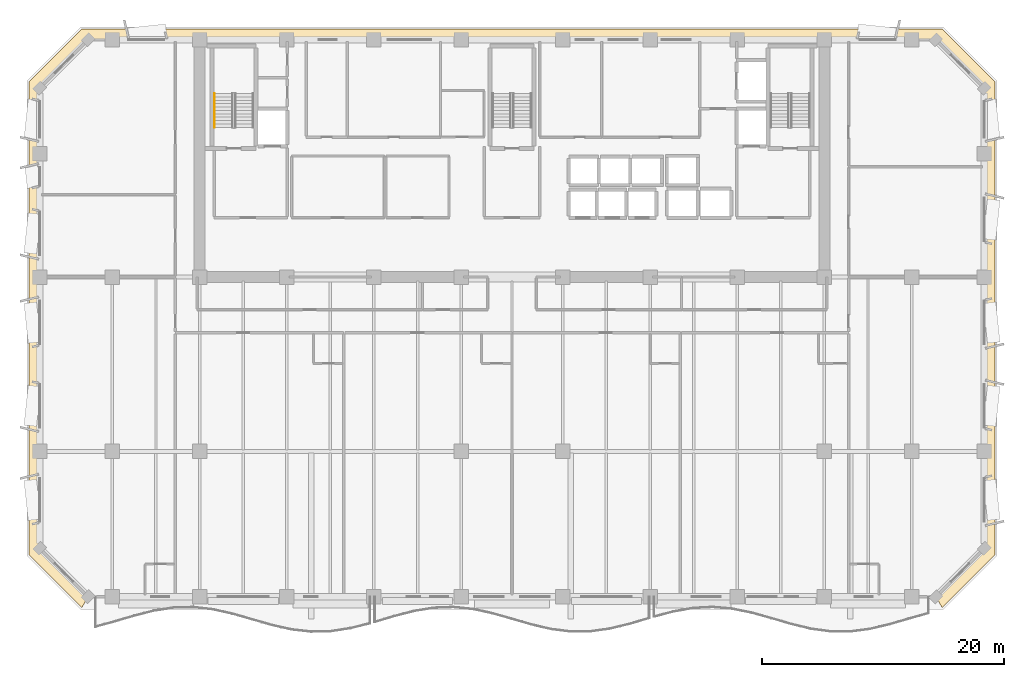
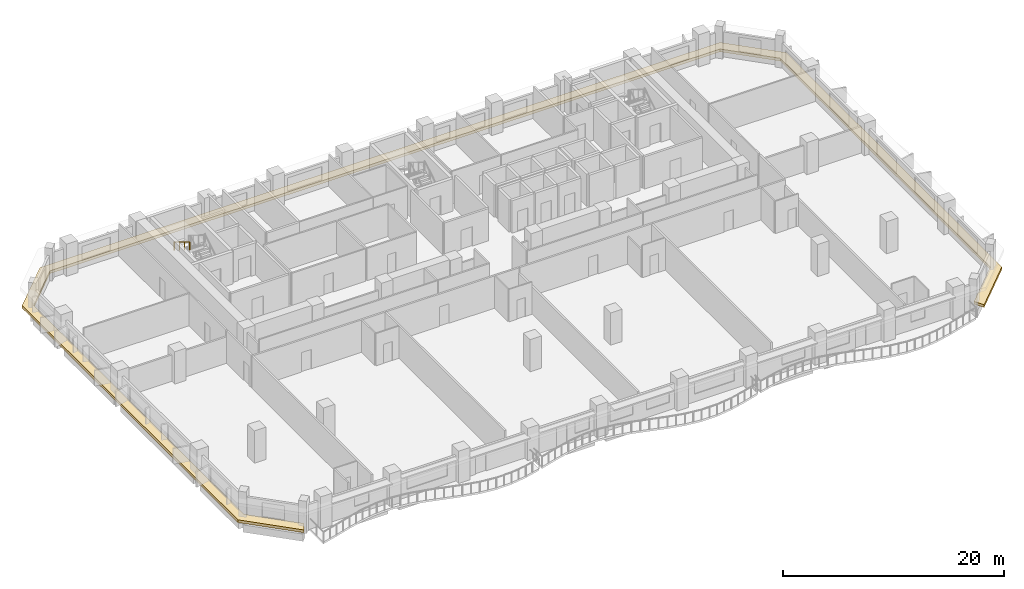
# One storey, part 11 of 14: 1 covering, 1 railing.
"""IFC4 building model written with IfcOpenShell, lengths in metres."""

from ifc_helpers import new_model, si_unit, direction, frame, origin, origin_2d, place, context, subcontext, project, spatial, polyline, rectangle, outline, extrude, material, layer, layer_set, type_object, element, save


model = new_model("IFC4")

# Units and contexts
model_context = context("Model", 3, precision=1e-05, world=origin(), true_north=direction((0.0, 1.0)))
body_context = subcontext(model_context, "Body", "Model", "MODEL_VIEW")
ifc_project = project(units=[si_unit("LENGTHUNIT", "METRE"), si_unit("AREAUNIT", "SQUARE_METRE"), si_unit("VOLUMEUNIT", "CUBIC_METRE"), si_unit("PLANEANGLEUNIT", "RADIAN"), si_unit("MASSUNIT", "GRAM", prefix="KILO")], contexts=[model_context])

# Site, building, storey
site_placement = place(None, origin())
site = spatial("IfcSite", under=ifc_project, at=site_placement, CompositionType="ELEMENT")
building_placement = place(site_placement, origin())
building = spatial("IfcBuilding", under=site, at=building_placement, Name="Kaelvorn Grand Hotel", CompositionType="ELEMENT")
storey_placement = place(building_placement, frame((0.0, 0.0, 212.949951171875)))
storey = spatial("IfcBuildingStorey", under=building, at=storey_placement, Name="L52", CompositionType="ELEMENT", Elevation=212.949951171875)

# Covering
ifc_material_1 = material(Name="Precast concrete C45/55", Category="concrete")
ifc_layer = layer(ifc_material_1, 0.219970703125)
ifc_layer_set = layer_set([ifc_layer], Name="Precast concrete C45/55")
covering_type = type_object("IfcCoveringType", Name="COV-BAND-STREAMLINE-SILL", PredefinedType="CLADDING", material=ifc_layer_set)
covering_placement = place(storey_placement, frame((0.0, 0.0, 0.449951171875)))
element("IfcCovering", 1, at=covering_placement, inside=storey, type_object=covering_type, Name="L52 Streamline Moderne Wraparound Horizontal Sill Spandrel Band", PredefinedType="CLADDING", context=body_context, shape_type="SweptSolid", body=[
    extrude(outline(polyline([(77.515380859375, 2.1201171875), (81.8798828125, 6.484619140625), (81.8798828125, 45.515380859375), (77.515380859375, 49.8798828125), (6.484619140625, 49.8798828125), (2.1201171875, 45.515380859375), (2.1201171875, 6.484619140625), (6.484619140625, 2.1201171875), (7.017578125, 3.030029296875), (3.030029296875, 7.017578125), (3.030029296875, 44.982421875), (7.017578125, 48.969970703125), (76.982421875, 48.969970703125), (80.969970703125, 44.982421875), (80.969970703125, 7.017578125), (76.982421875, 3.030029296875), (77.515380859375, 2.1201171875)])), origin(), (0.0, 0.0, 1.0), 0.300048828125),
])

# Railing
ifc_material_2 = material(Name="Stainless Steel", Category="steel")
railing_type = type_object("IfcRailingType", Name="RL-HANDRAIL-900", PredefinedType="HANDRAIL", material=ifc_material_2)
railing_placement = place(storey_placement, frame((17.449951171875, 44.56005859375, 2.07275390625)))
element("IfcRailing", 2, at=railing_placement, inside=storey, type_object=railing_type, Name="L52 ST1 stair handrail 2", PredefinedType="HANDRAIL", context=body_context, shape_type="SweptSolid", body=[
    extrude(rectangle(XDim=0.048095703125, YDim=0.048095703125, at=origin_2d()), frame((0.0, 0.0, 0.8759765625), z_axis=(0.0, -0.851089632645, 0.525020415988), x_axis=(1.0, 0.0, 0.0)), (0.0, 0.0, 1.0), 3.2900390625),
    extrude(rectangle(XDim=0.0419921875, YDim=0.0419921875, at=origin_2d()), origin(), (0.0, 0.0, 1.0), 0.851806640625),
    extrude(rectangle(XDim=0.0419921875, YDim=0.0419921875, at=origin_2d()), frame((0.0, -0.933349609375, 0.57568359375)), (0.0, 0.0, 1.0), 0.851806640625),
    extrude(rectangle(XDim=0.0419921875, YDim=0.0419921875, at=origin_2d()), frame((0.0, -1.86669921875, 1.151611328125)), (0.0, 0.0, 1.0), 0.851806640625),
    extrude(rectangle(XDim=0.0419921875, YDim=0.0419921875, at=origin_2d()), frame((0.0, -2.800048828125, 1.727294921875)), (0.0, 0.0, 1.0), 0.851806640625),
])

save(model, "model.ifc")
